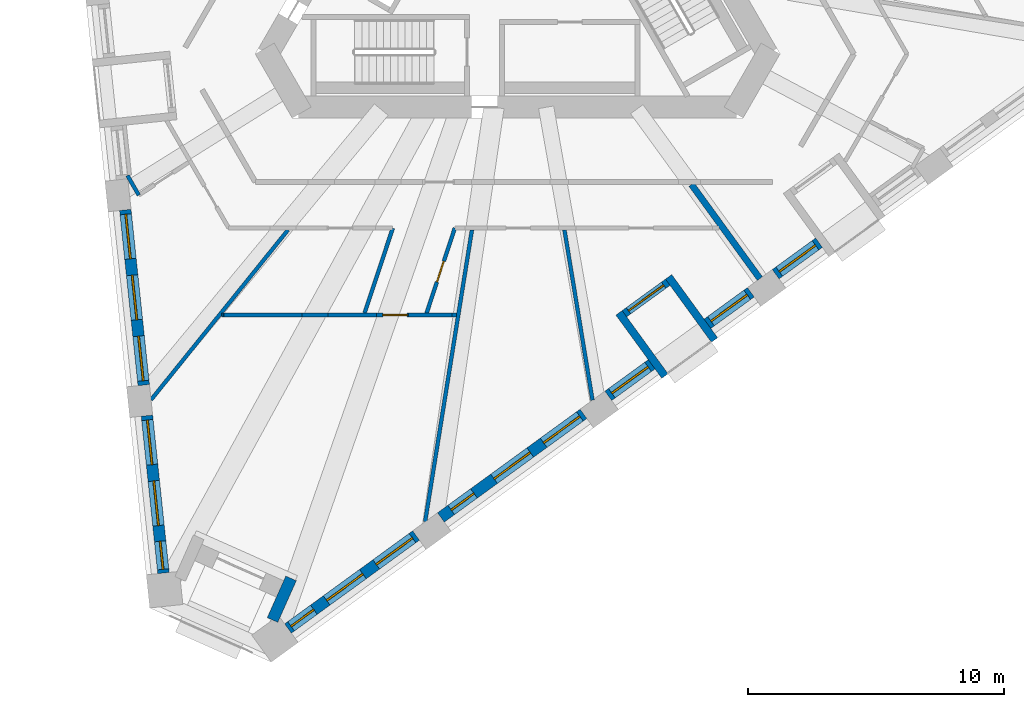
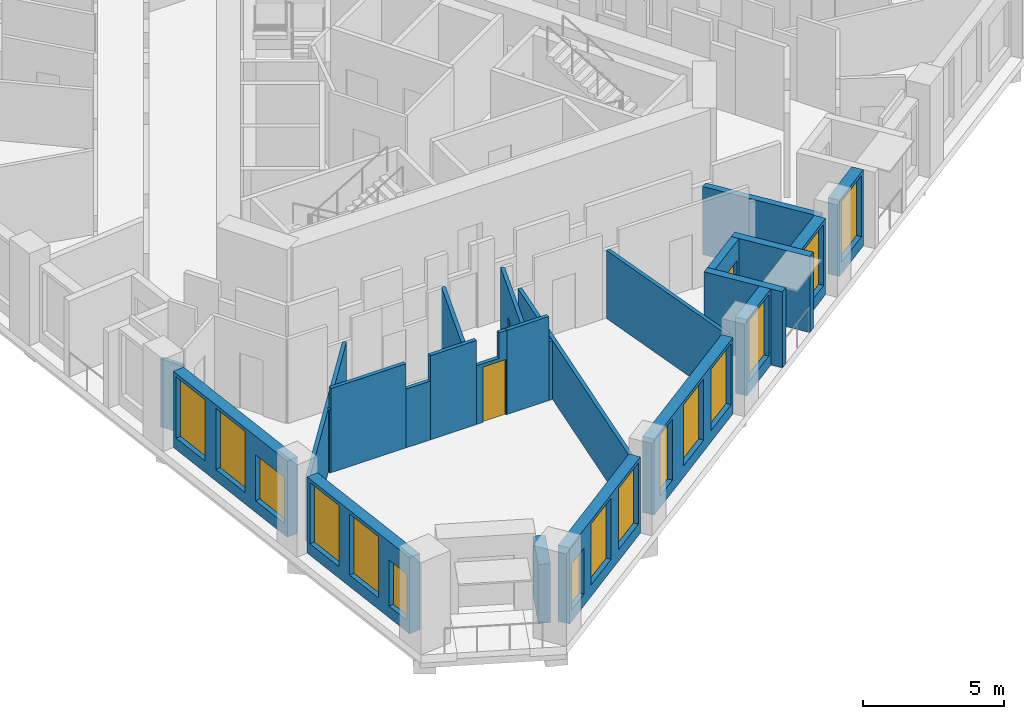
# One storey, part 2 of 14: 25 walls, 15 windows, 3 doors, 18 openings.
"""IFC4 building model written with IfcOpenShell, lengths in metres."""

import ifcopenshell
import ifcopenshell.guid

model = None  # the IFC model being written
_history = None  # IfcOwnerHistory: only IFC2X3 demands one
_inside = {}  # id of a spatial element -> (the spatial element, [elements in it])
_under = {}  # id of a project, library or spatial element -> (it, [spatial elements below it])
_declared = {}  # id of a project -> (the project, [libraries it declares])
_typed = {}  # id of a type object -> (the type object, [elements of that type])
_made_of = {}  # id of a material, layer set ... -> (it, [elements and type objects made of it])


def new_model(schema):
    """Start an empty IFC model of exactly this schema.

    Asked for "IFC4X3", IfcOpenShell would pick the latest addendum, in which some entities
    have other attributes; the version numbers below select the first issue.
    IFC2X3 requires an IfcOwnerHistory on every rooted entity: one is made here for all.
    """
    global model, _history
    if schema == "IFC4X3":
        model = ifcopenshell.file(schema_version=(4, 3, 0, 0))
    else:
        model = ifcopenshell.file(schema=schema)
    _inside.clear()
    _under.clear()
    _declared.clear()
    _typed.clear()
    _made_of.clear()
    _history = None
    if model.schema == "IFC2X3":
        org = make("IfcOrganization", Name="unknown")
        user = make(
            "IfcPersonAndOrganization",
            ThePerson=make("IfcPerson", FamilyName="unknown"),
            TheOrganization=org,
        )
        app = make(
            "IfcApplication",
            ApplicationDeveloper=org,
            Version="unknown",
            ApplicationFullName="unknown",
            ApplicationIdentifier="unknown",
        )
        _history = make(
            "IfcOwnerHistory",
            OwningUser=user,
            OwningApplication=app,
            ChangeAction="ADDED",
            CreationDate=0,
        )
    return model


def make(cls, **values):
    """One entity of the class cls with the attributes given. An attribute that is None is left unset."""
    return model.create_entity(
        cls, **{name: value for name, value in values.items() if value is not None}
    )


def rooted(cls, **values):
    """An entity with a GlobalId (a new one), such as an element, a storey or a relation."""
    return make(cls, GlobalId=ifcopenshell.guid.new(), OwnerHistory=_history, **values)


def si_unit(unit_type, name, prefix=None):
    """IfcSIUnit, for example si_unit("LENGTHUNIT", "METRE", prefix="MILLI")."""
    return make("IfcSIUnit", UnitType=unit_type, Prefix=prefix, Name=name)


def assignment(units):
    """IfcUnitAssignment: the units of a project."""
    return None if units is None else make("IfcUnitAssignment", Units=units)


def point(xyz):
    """IfcCartesianPoint."""
    return None if xyz is None else make("IfcCartesianPoint", Coordinates=xyz)


def direction(xyz):
    """IfcDirection."""
    return None if xyz is None else make("IfcDirection", DirectionRatios=xyz)


def frame(location, z_axis=None, x_axis=None):
    """IfcAxis2Placement3D, a coordinate frame: its origin and axes. An axis left out is left unset."""
    return make(
        "IfcAxis2Placement3D",
        Location=point(location),
        Axis=direction(z_axis),
        RefDirection=direction(x_axis),
    )


def frame_2d(location, x_axis=None):
    """IfcAxis2Placement2D, a coordinate frame in the plane: its origin and x axis."""
    return make(
        "IfcAxis2Placement2D", Location=point(location), RefDirection=direction(x_axis)
    )


def origin():
    """The frame at (0, 0, 0) with its axes left unset."""
    return frame((0.0, 0.0, 0.0))


def place(relative_to, where):
    """IfcLocalPlacement: puts the frame where relative to a parent placement (None: the world)."""
    return make(
        "IfcLocalPlacement", PlacementRelTo=relative_to, RelativePlacement=where
    )


def context(
    kind, dimensions, precision=None, world=None, true_north=None, identifier=None
):
    """IfcGeometricRepresentationContext, for example the 3D "Model" context."""
    return make(
        "IfcGeometricRepresentationContext",
        ContextIdentifier=identifier,
        ContextType=kind,
        CoordinateSpaceDimension=dimensions,
        Precision=precision,
        WorldCoordinateSystem=world,
        TrueNorth=true_north,
    )


def subcontext(parent, identifier, kind, view, scale=None):
    """IfcGeometricRepresentationSubContext, for example "Body" below "Model"."""
    return make(
        "IfcGeometricRepresentationSubContext",
        ContextIdentifier=identifier,
        ContextType=kind,
        ParentContext=parent,
        TargetScale=scale,
        TargetView=view,
    )


def project(units=None, contexts=None):
    """IfcProject with its units and contexts."""
    return rooted(
        "IfcProject",
        Name="project",
        RepresentationContexts=contexts,
        UnitsInContext=assignment(units),
    )


def spatial(cls, under=None, at=None, **own):
    """A site, building, storey or space (cls), placed at a placement, below another one or the project."""
    s = rooted(cls, ObjectPlacement=at, **own)
    if under is not None:
        _under.setdefault(under.id(), (under, []))[1].append(s)
    return s


def polyline(points):
    """IfcPolyline through the points."""
    return make("IfcPolyline", Points=[point(p) for p in points])


def profile(cls, at=None, kind="AREA", **sizes):
    """A parametric profile (cls). Its sizes go by their IFC names, for example OverallWidth=200.0."""
    return make(cls, ProfileType=kind, Position=at, **sizes)


def rectangle(**sizes):
    """IfcRectangleProfileDef."""
    return profile("IfcRectangleProfileDef", **sizes)


def outline(outer, holes=None, kind="AREA"):
    """IfcArbitraryClosedProfileDef: a profile drawn as a closed curve; with holes, ...WithVoids."""
    if holes is None:
        return make("IfcArbitraryClosedProfileDef", ProfileType=kind, OuterCurve=outer)
    return make(
        "IfcArbitraryProfileDefWithVoids",
        ProfileType=kind,
        OuterCurve=outer,
        InnerCurves=holes,
    )


def extrude(swept, where, along, depth):
    """IfcExtrudedAreaSolid: the profile swept, set in the frame where, extruded along a direction by depth."""
    return make(
        "IfcExtrudedAreaSolid",
        SweptArea=swept,
        Position=where,
        ExtrudedDirection=direction(along),
        Depth=depth,
    )


def shape(context_of_items, identifier, shape_type, items):
    """IfcShapeRepresentation: the items that make up one representation, for example the "Body"."""
    return make(
        "IfcShapeRepresentation",
        ContextOfItems=context_of_items,
        RepresentationIdentifier=identifier,
        RepresentationType=shape_type,
        Items=items,
    )


def material(Name=None, Category=None):
    """IfcMaterial."""
    return make("IfcMaterial", Name=Name, Category=Category)


def layer(
    of_material, thickness, ventilated=None, Name=None, Category=None, Priority=None
):
    """IfcMaterialLayer: one layer of a wall or slab, of a material (None: an air gap)."""
    return make(
        "IfcMaterialLayer",
        Material=of_material,
        LayerThickness=thickness,
        IsVentilated=ventilated,
        Name=Name,
        Category=Category,
        Priority=Priority,
    )


def layer_set(layers, Name=None):
    """IfcMaterialLayerSet."""
    return make("IfcMaterialLayerSet", MaterialLayers=layers, LayerSetName=Name)


def made_of(thing, what):
    """Note that an element or type object is made of a material, layer set ...; save() writes the relation."""
    if what is not None:
        _made_of.setdefault(what.id(), (what, []))[1].append(thing)
    return thing


def type_object(cls, material=None, **own):
    """A type object (cls), such as IfcWallType, which elements share."""
    return made_of(rooted(cls, **own), material)


def element(
    cls,
    number,
    at=None,
    inside=None,
    cuts=None,
    type_object=None,
    material=None,
    context=None,
    identifier="Body",
    shape_type=None,
    held_by="IfcProductDefinitionShape",
    body=None,
    shapes=None,
    **own,
):
    """One element of the class cls, such as IfcWall. Its Tag is "e" and its number.

    at: its placement. inside: the storey or other place that contains it. cuts: it is an
    opening in that element (IfcRelVoidsElement). A single representation is given by context,
    identifier, shape_type and body (its items); several are given by shapes. held_by: the class
    of the entity that holds the representations. save() writes the other relations.
    """
    e = rooted(cls, Tag="e%d" % number, ObjectPlacement=at, **own)
    if body is not None:
        shapes = [shape(context, identifier, shape_type, body)]
    if shapes is not None:
        e.Representation = make(held_by, Representations=shapes)
    if inside is not None:
        _inside.setdefault(inside.id(), (inside, []))[1].append(e)
    if cuts is not None:
        rooted(
            "IfcRelVoidsElement", RelatingBuildingElement=cuts, RelatedOpeningElement=e
        )
    if type_object is not None:
        _typed.setdefault(type_object.id(), (type_object, []))[1].append(e)
    return made_of(e, material)


def fill(opening, filler):
    """IfcRelFillsElement: the door or window that sits in an opening."""
    return rooted(
        "IfcRelFillsElement",
        RelatingOpeningElement=opening,
        RelatedBuildingElement=filler,
    )


def aggregate(whole, parts):
    """IfcRelAggregates: a whole, such as a stair, and the parts it consists of."""
    return rooted("IfcRelAggregates", RelatingObject=whole, RelatedObjects=parts)


def save(model, path):
    """Write the relations noted so far, then the file.

    IfcRelAggregates (storeys below a building ...), IfcRelContainedInSpatialStructure (elements
    in a storey), IfcRelDefinesByType, IfcRelAssociatesMaterial and IfcRelDeclares: one each for
    every whole, place, type object, material and project.
    """
    for whole, parts in _under.values():
        aggregate(whole, parts)
    for where, things in _inside.values():
        rooted(
            "IfcRelContainedInSpatialStructure",
            RelatedElements=things,
            RelatingStructure=where,
        )
    for kind, things in _typed.values():
        rooted("IfcRelDefinesByType", RelatedObjects=things, RelatingType=kind)
    for what, things in _made_of.values():
        rooted("IfcRelAssociatesMaterial", RelatedObjects=things, RelatingMaterial=what)
    for by, libraries in _declared.values():
        rooted("IfcRelDeclares", RelatingContext=by, RelatedDefinitions=libraries)
    model.write(path)


model = new_model("IFC4")

# Units and contexts
model_context = context("Model", 3, precision=1e-05, world=origin(), true_north=direction((0.0, 1.0)))
body_context = subcontext(model_context, "Body", "Model", "MODEL_VIEW")
ifc_project = project(units=[si_unit("LENGTHUNIT", "METRE"), si_unit("AREAUNIT", "SQUARE_METRE"), si_unit("VOLUMEUNIT", "CUBIC_METRE"), si_unit("PLANEANGLEUNIT", "RADIAN"), si_unit("MASSUNIT", "GRAM", prefix="KILO")], contexts=[model_context])

# Site, building, storey
site_placement = place(None, origin())
site = spatial("IfcSite", under=ifc_project, at=site_placement, CompositionType="ELEMENT")
building_placement = place(site_placement, origin())
building = spatial("IfcBuilding", under=site, at=building_placement, Name="Tramontana Tower", CompositionType="ELEMENT")
storey_placement = place(building_placement, frame((0.0, 0.0, 170.800048828125)))
storey = spatial("IfcBuildingStorey", under=building, at=storey_placement, Name="L39", CompositionType="ELEMENT", Elevation=170.800048828125)

# Wall, openings, windows
ifc_material_1 = material(Name="Precast concrete 60 MPa", Category="concrete")
ifc_layer_1 = layer(ifc_material_1, 0.449951171875)
ifc_layer_set_1 = layer_set([ifc_layer_1], Name="Precast concrete 60 MPa, 450 mm")
wall_type_1 = type_object("IfcWallType", Name="EW1 Stone-faced precast wall 450", PredefinedType="SOLIDWALL", material=ifc_layer_set_1)
wall_1_placement = place(storey_placement, frame((-15.327880859375, -10.341796875, 0.0), z_axis=(0.0, 0.0, 1.0), x_axis=(0.104531531326, -0.994521572898, 0.0)))
wall_1 = element("IfcWall", 1, at=wall_1_placement, inside=storey, type_object=wall_type_1, Name="External wall L39 face 0 bay 5", PredefinedType="SOLIDWALL", context=body_context, shape_type="SweptSolid", body=[
    extrude(rectangle(XDim=6.8828125, YDim=0.449951171875, at=frame_2d((3.44140625, 0.0))), origin(), (0.0, 0.0, 1.0), 3.300048828125),
])
opening_1_placement = place(wall_1_placement, frame((0.172119140625, 0.0, 0.5)))
opening_1 = element("IfcOpeningElement", 2, at=opening_1_placement, cuts=wall_1, Name="Opening M2", PredefinedType="OPENING", context=body_context, shape_type="SweptSolid", body=[
    extrude(rectangle(XDim=1.75, YDim=2.64990234375, at=frame_2d((0.875, 1.324951171875))), frame((0.0, 0.23486328125, 0.0), z_axis=(0.0, -1.0, 0.0), x_axis=(1.0, 0.0, 0.0)), (0.0, 0.0, 1.0), 0.469970703125),
])
opening_2_placement = place(wall_1_placement, frame((2.56640625, 0.0, 0.5)))
opening_2 = element("IfcOpeningElement", 3, at=opening_2_placement, cuts=wall_1, Name="Opening M2", PredefinedType="OPENING", context=body_context, shape_type="SweptSolid", body=[
    extrude(rectangle(XDim=1.75, YDim=2.64990234375, at=frame_2d((0.875, 1.324951171875))), frame((0.0, 0.23486328125, 0.0), z_axis=(0.0, -1.0, 0.0), x_axis=(1.0, 0.0, 0.0)), (0.0, 0.0, 1.0), 0.469970703125),
])
opening_3_placement = place(wall_1_placement, frame((4.960693359375, 0.0, 0.5)))
opening_3 = element("IfcOpeningElement", 4, at=opening_3_placement, cuts=wall_1, Name="Opening M2L", PredefinedType="OPENING", context=body_context, shape_type="SweptSolid", body=[
    extrude(rectangle(XDim=1.75, YDim=2.0, at=frame_2d((0.875, 1.0))), frame((0.0, 0.23486328125, 0.0), z_axis=(0.0, -1.0, 0.0), x_axis=(1.0, 0.0, 0.0)), (0.0, 0.0, 1.0), 0.469970703125),
])
ifc_material_2 = material(Name="Aluminum frame, double glazing unit", Category="aluminium")
window_type_1 = type_object("IfcWindowType", Name="M2 Window 1.75 x 2.65", PartitioningType="SINGLE_PANEL", PredefinedType="WINDOW", material=ifc_material_2)
window_1_placement = place(opening_1_placement, origin())
window_1 = element("IfcWindow", 5, at=window_1_placement, inside=storey, type_object=window_type_1, Name="Window M2 L39 face 0 module 13", OverallHeight=2.64990234375, OverallWidth=1.75, PartitioningType="SINGLE_PANEL", PredefinedType="WINDOW", context=body_context, shape_type="SweptSolid", body=[
    extrude(rectangle(XDim=1.75, YDim=2.64990234375, at=frame_2d((0.875, 1.324951171875))), frame((0.0, 0.030029296875, 0.0), z_axis=(0.0, -1.0, 0.0), x_axis=(1.0, 0.0, 0.0)), (0.0, 0.0, 1.0), 0.06005859375),
])
fill(opening_1, window_1)
window_2_placement = place(opening_2_placement, origin())
window_2 = element("IfcWindow", 6, at=window_2_placement, inside=storey, type_object=window_type_1, Name="Window M2 L39 face 0 module 14", OverallHeight=2.64990234375, OverallWidth=1.75, PartitioningType="SINGLE_PANEL", PredefinedType="WINDOW", context=body_context, shape_type="SweptSolid", body=[
    extrude(rectangle(XDim=1.75, YDim=2.64990234375, at=frame_2d((0.875, 1.324951171875))), frame((0.0, 0.030029296875, 0.0), z_axis=(0.0, -1.0, 0.0), x_axis=(1.0, 0.0, 0.0)), (0.0, 0.0, 1.0), 0.06005859375),
])
fill(opening_2, window_2)
ifc_material_3 = material(Name="Aluminum frame, double glazing unit", Category="aluminium")
window_type_2 = type_object("IfcWindowType", Name="M2L Window 1.75 x 2", PartitioningType="SINGLE_PANEL", PredefinedType="WINDOW", material=ifc_material_3)
window_3_placement = place(opening_3_placement, origin())
window_3 = element("IfcWindow", 7, at=window_3_placement, inside=storey, type_object=window_type_2, Name="Window M2L L39 face 0 module 15", OverallHeight=2.0, OverallWidth=1.75, PartitioningType="SINGLE_PANEL", PredefinedType="WINDOW", context=body_context, shape_type="SweptSolid", body=[
    extrude(rectangle(XDim=1.75, YDim=2.0, at=frame_2d((0.875, 1.0))), frame((0.0, 0.030029296875, 0.0), z_axis=(0.0, -1.0, 0.0), x_axis=(1.0, 0.0, 0.0)), (0.0, 0.0, 1.0), 0.06005859375),
])
fill(opening_3, window_3)

wall_2_placement = place(storey_placement, frame((-14.483154296875, -18.38037109375, 0.0), z_axis=(0.0, 0.0, 1.0), x_axis=(0.104557348575, -0.994518858976, 0.0)))
wall_2 = element("IfcWall", 8, at=wall_2_placement, inside=storey, type_object=wall_type_1, Name="External wall L39 face 0 bay 6", PredefinedType="SOLIDWALL", context=body_context, shape_type="SweptSolid", body=[
    extrude(rectangle(XDim=6.18310546875, YDim=0.449951171875, at=frame_2d((3.091552734375, 0.0))), origin(), (0.0, 0.0, 1.0), 3.300048828125),
])
opening_4_placement = place(wall_2_placement, frame((0.172119140625, 0.0, 0.5)))
opening_4 = element("IfcOpeningElement", 9, at=opening_4_placement, cuts=wall_2, Name="Opening M2", PredefinedType="OPENING", context=body_context, shape_type="SweptSolid", body=[
    extrude(rectangle(XDim=1.75, YDim=2.64990234375, at=frame_2d((0.875, 1.324951171875))), frame((0.0, 0.23486328125, 0.0), z_axis=(0.0, -1.0, 0.0), x_axis=(1.0, 0.0, 0.0)), (0.0, 0.0, 1.0), 0.469970703125),
])
opening_5_placement = place(wall_2_placement, frame((2.56640625, 0.0, 0.5)))
opening_5 = element("IfcOpeningElement", 10, at=opening_5_placement, cuts=wall_2, Name="Opening M2", PredefinedType="OPENING", context=body_context, shape_type="SweptSolid", body=[
    extrude(rectangle(XDim=1.75, YDim=2.64990234375, at=frame_2d((0.875, 1.324951171875))), frame((0.0, 0.23486328125, 0.0), z_axis=(0.0, -1.0, 0.0), x_axis=(1.0, 0.0, 0.0)), (0.0, 0.0, 1.0), 0.469970703125),
])
opening_6_placement = place(wall_2_placement, frame((4.935791015625, 0.0, 0.5)))
opening_6 = element("IfcOpeningElement", 11, at=opening_6_placement, cuts=wall_2, Name="Opening N2L", PredefinedType="OPENING", context=body_context, shape_type="SweptSolid", body=[
    extrude(rectangle(XDim=1.10009765625, YDim=2.0, at=frame_2d((0.550048828125, 1.0))), frame((0.0, 0.23486328125, 0.0), z_axis=(0.0, -1.0, 0.0), x_axis=(1.0, 0.0, 0.0)), (0.0, 0.0, 1.0), 0.469970703125),
])
window_4_placement = place(opening_4_placement, origin())
window_4 = element("IfcWindow", 12, at=window_4_placement, inside=storey, type_object=window_type_1, Name="Window M2 L39 face 0 module 16", OverallHeight=2.64990234375, OverallWidth=1.75, PartitioningType="SINGLE_PANEL", PredefinedType="WINDOW", context=body_context, shape_type="SweptSolid", body=[
    extrude(rectangle(XDim=1.75, YDim=2.64990234375, at=frame_2d((0.875, 1.324951171875))), frame((0.0, 0.030029296875, 0.0), z_axis=(0.0, -1.0, 0.0), x_axis=(1.0, 0.0, 0.0)), (0.0, 0.0, 1.0), 0.06005859375),
])
fill(opening_4, window_4)
window_5_placement = place(opening_5_placement, origin())
window_5 = element("IfcWindow", 13, at=window_5_placement, inside=storey, type_object=window_type_1, Name="Window M2 L39 face 0 module 17", OverallHeight=2.64990234375, OverallWidth=1.75, PartitioningType="SINGLE_PANEL", PredefinedType="WINDOW", context=body_context, shape_type="SweptSolid", body=[
    extrude(rectangle(XDim=1.75, YDim=2.64990234375, at=frame_2d((0.875, 1.324951171875))), frame((0.0, 0.030029296875, 0.0), z_axis=(0.0, -1.0, 0.0), x_axis=(1.0, 0.0, 0.0)), (0.0, 0.0, 1.0), 0.06005859375),
])
fill(opening_5, window_5)
ifc_material_4 = material(Name="Aluminum frame, double glazing unit", Category="aluminium")
window_type_3 = type_object("IfcWindowType", Name="N2L Window 1.1 x 2", PartitioningType="SINGLE_PANEL", PredefinedType="WINDOW", material=ifc_material_4)
window_6_placement = place(opening_6_placement, origin())
window_6 = element("IfcWindow", 14, at=window_6_placement, inside=storey, type_object=window_type_3, Name="Window N2L L39 face 0 module 18", OverallHeight=2.0, OverallWidth=1.10009765625, PartitioningType="SINGLE_PANEL", PredefinedType="WINDOW", context=body_context, shape_type="SweptSolid", body=[
    extrude(rectangle(XDim=1.10009765625, YDim=2.0, at=frame_2d((0.550048828125, 1.0))), frame((0.0, 0.030029296875, 0.0), z_axis=(0.0, -1.0, 0.0), x_axis=(1.0, 0.0, 0.0)), (0.0, 0.0, 1.0), 0.06005859375),
])
fill(opening_6, window_6)

wall_3_placement = place(storey_placement, frame((-8.97021484375, -26.696044921875, 0.0), z_axis=(0.0, 0.0, 1.0), x_axis=(0.809024567544, 0.587774828578, 0.0)))
wall_3 = element("IfcWall", 15, at=wall_3_placement, inside=storey, type_object=wall_type_1, Name="External wall L39 face 1 bay 1", PredefinedType="SOLIDWALL", context=body_context, shape_type="SweptSolid", body=[
    extrude(rectangle(XDim=6.1826171875, YDim=0.449951171875, at=frame_2d((3.09130859375, 0.0))), origin(), (0.0, 0.0, 1.0), 3.300048828125),
])
opening_7_placement = place(wall_3_placement, frame((0.147216796875, 0.0, 0.5)))
opening_7 = element("IfcOpeningElement", 16, at=opening_7_placement, cuts=wall_3, Name="Opening N2L", PredefinedType="OPENING", context=body_context, shape_type="SweptSolid", body=[
    extrude(rectangle(XDim=1.10009765625, YDim=2.0, at=frame_2d((0.550048828125, 1.0))), frame((0.0, 0.23486328125, 0.0), z_axis=(0.0, -1.0, 0.0), x_axis=(1.0, 0.0, 0.0)), (0.0, 0.0, 1.0), 0.469970703125),
])
opening_8_placement = place(wall_3_placement, frame((1.866455078125, 0.0, 0.5)))
opening_8 = element("IfcOpeningElement", 17, at=opening_8_placement, cuts=wall_3, Name="Opening M2", PredefinedType="OPENING", context=body_context, shape_type="SweptSolid", body=[
    extrude(rectangle(XDim=1.75, YDim=2.64990234375, at=frame_2d((0.875, 1.324951171875))), frame((0.0, 0.23486328125, 0.0), z_axis=(0.0, -1.0, 0.0), x_axis=(1.0, 0.0, 0.0)), (0.0, 0.0, 1.0), 0.469970703125),
])
opening_9_placement = place(wall_3_placement, frame((4.2607421875, 0.0, 0.5)))
opening_9 = element("IfcOpeningElement", 18, at=opening_9_placement, cuts=wall_3, Name="Opening M2", PredefinedType="OPENING", context=body_context, shape_type="SweptSolid", body=[
    extrude(rectangle(XDim=1.75, YDim=2.64990234375, at=frame_2d((0.875, 1.324951171875))), frame((0.0, 0.23486328125, 0.0), z_axis=(0.0, -1.0, 0.0), x_axis=(1.0, 0.0, 0.0)), (0.0, 0.0, 1.0), 0.469970703125),
])
window_7_placement = place(opening_8_placement, origin())
window_7 = element("IfcWindow", 19, at=window_7_placement, inside=storey, type_object=window_type_1, Name="Window M2 L39 face 1 module 2", OverallHeight=2.64990234375, OverallWidth=1.75, PartitioningType="SINGLE_PANEL", PredefinedType="WINDOW", context=body_context, shape_type="SweptSolid", body=[
    extrude(rectangle(XDim=1.75, YDim=2.64990234375, at=frame_2d((0.875, 1.324951171875))), frame((0.0, 0.030029296875, 0.0), z_axis=(0.0, -1.0, 0.0), x_axis=(1.0, 0.0, 0.0)), (0.0, 0.0, 1.0), 0.06005859375),
])
fill(opening_8, window_7)
window_8_placement = place(opening_9_placement, origin())
window_8 = element("IfcWindow", 20, at=window_8_placement, inside=storey, type_object=window_type_1, Name="Window M2 L39 face 1 module 3", OverallHeight=2.64990234375, OverallWidth=1.75, PartitioningType="SINGLE_PANEL", PredefinedType="WINDOW", context=body_context, shape_type="SweptSolid", body=[
    extrude(rectangle(XDim=1.75, YDim=2.64990234375, at=frame_2d((0.875, 1.324951171875))), frame((0.0, 0.030029296875, 0.0), z_axis=(0.0, -1.0, 0.0), x_axis=(1.0, 0.0, 0.0)), (0.0, 0.0, 1.0), 0.06005859375),
])
fill(opening_9, window_8)
window_9_placement = place(opening_7_placement, origin())
window_9 = element("IfcWindow", 21, at=window_9_placement, inside=storey, type_object=window_type_3, Name="Window N2L L39 face 1 module 1", OverallHeight=2.0, OverallWidth=1.10009765625, PartitioningType="SINGLE_PANEL", PredefinedType="WINDOW", context=body_context, shape_type="SweptSolid", body=[
    extrude(rectangle(XDim=1.10009765625, YDim=2.0, at=frame_2d((0.550048828125, 1.0))), frame((0.0, 0.030029296875, 0.0), z_axis=(0.0, -1.0, 0.0), x_axis=(1.0, 0.0, 0.0)), (0.0, 0.0, 1.0), 0.06005859375),
])
fill(opening_7, window_9)

wall_4_placement = place(storey_placement, frame((-2.997314453125, -22.3564453125, 0.0), z_axis=(0.0, 0.0, 1.0), x_axis=(0.809016690404, 0.587785670672, 0.0)))
wall_4 = element("IfcWall", 22, at=wall_4_placement, inside=storey, type_object=wall_type_1, Name="External wall L39 face 1 bay 2", PredefinedType="SOLIDWALL", context=body_context, shape_type="SweptSolid", body=[
    extrude(rectangle(XDim=6.8828125, YDim=0.449951171875, at=frame_2d((3.44140625, 0.0))), origin(), (0.0, 0.0, 1.0), 3.300048828125),
])
opening_10_placement = place(wall_4_placement, frame((0.4970703125, 0.0, 0.5)))
opening_10 = element("IfcOpeningElement", 23, at=opening_10_placement, cuts=wall_4, Name="Opening N2", PredefinedType="OPENING", context=body_context, shape_type="SweptSolid", body=[
    extrude(rectangle(XDim=1.10009765625, YDim=2.64990234375, at=frame_2d((0.550048828125, 1.324951171875))), frame((0.0, 0.23486328125, 0.0), z_axis=(0.0, -1.0, 0.0), x_axis=(1.0, 0.0, 0.0)), (0.0, 0.0, 1.0), 0.469970703125),
])
opening_11_placement = place(wall_4_placement, frame((2.56640625, 0.0, 0.5)))
opening_11 = element("IfcOpeningElement", 24, at=opening_11_placement, cuts=wall_4, Name="Opening M2", PredefinedType="OPENING", context=body_context, shape_type="SweptSolid", body=[
    extrude(rectangle(XDim=1.75, YDim=2.64990234375, at=frame_2d((0.875, 1.324951171875))), frame((0.0, 0.23486328125, 0.0), z_axis=(0.0, -1.0, 0.0), x_axis=(1.0, 0.0, 0.0)), (0.0, 0.0, 1.0), 0.469970703125),
])
opening_12_placement = place(wall_4_placement, frame((4.960693359375, 0.0, 0.5)))
opening_12 = element("IfcOpeningElement", 25, at=opening_12_placement, cuts=wall_4, Name="Opening M2", PredefinedType="OPENING", context=body_context, shape_type="SweptSolid", body=[
    extrude(rectangle(XDim=1.75, YDim=2.64990234375, at=frame_2d((0.875, 1.324951171875))), frame((0.0, 0.23486328125, 0.0), z_axis=(0.0, -1.0, 0.0), x_axis=(1.0, 0.0, 0.0)), (0.0, 0.0, 1.0), 0.469970703125),
])
window_10_placement = place(opening_11_placement, origin())
window_10 = element("IfcWindow", 26, at=window_10_placement, inside=storey, type_object=window_type_1, Name="Window M2 L39 face 1 module 5", OverallHeight=2.64990234375, OverallWidth=1.75, PartitioningType="SINGLE_PANEL", PredefinedType="WINDOW", context=body_context, shape_type="SweptSolid", body=[
    extrude(rectangle(XDim=1.75, YDim=2.64990234375, at=frame_2d((0.875, 1.324951171875))), frame((0.0, 0.030029296875, 0.0), z_axis=(0.0, -1.0, 0.0), x_axis=(1.0, 0.0, 0.0)), (0.0, 0.0, 1.0), 0.06005859375),
])
fill(opening_11, window_10)
window_11_placement = place(opening_12_placement, origin())
window_11 = element("IfcWindow", 27, at=window_11_placement, inside=storey, type_object=window_type_1, Name="Window M2 L39 face 1 module 6", OverallHeight=2.64990234375, OverallWidth=1.75, PartitioningType="SINGLE_PANEL", PredefinedType="WINDOW", context=body_context, shape_type="SweptSolid", body=[
    extrude(rectangle(XDim=1.75, YDim=2.64990234375, at=frame_2d((0.875, 1.324951171875))), frame((0.0, 0.030029296875, 0.0), z_axis=(0.0, -1.0, 0.0), x_axis=(1.0, 0.0, 0.0)), (0.0, 0.0, 1.0), 0.06005859375),
])
fill(opening_12, window_11)
ifc_material_5 = material(Name="Aluminum frame, double glazing unit", Category="aluminium")
window_type_4 = type_object("IfcWindowType", Name="N2 Window 1.1 x 2.65", PartitioningType="SINGLE_PANEL", PredefinedType="WINDOW", material=ifc_material_5)
window_12_placement = place(opening_10_placement, origin())
window_12 = element("IfcWindow", 28, at=window_12_placement, inside=storey, type_object=window_type_4, Name="Window N2 L39 face 1 module 4", OverallHeight=2.64990234375, OverallWidth=1.10009765625, PartitioningType="SINGLE_PANEL", PredefinedType="WINDOW", context=body_context, shape_type="SweptSolid", body=[
    extrude(rectangle(XDim=1.10009765625, YDim=2.64990234375, at=frame_2d((0.550048828125, 1.324951171875))), frame((0.0, 0.030029296875, 0.0), z_axis=(0.0, -1.0, 0.0), x_axis=(1.0, 0.0, 0.0)), (0.0, 0.0, 1.0), 0.06005859375),
])
fill(opening_10, window_12)

# Wall, opening, window
wall_5_placement = place(storey_placement, frame((3.541748046875, -17.60546875, 0.0), z_axis=(0.0, 0.0, 1.0), x_axis=(0.809028366311, 0.587769599847, 0.0)))
wall_5 = element("IfcWall", 29, at=wall_5_placement, inside=storey, type_object=wall_type_1, Name="External wall L39 face 1 bay 3", PredefinedType="SOLIDWALL", context=body_context, shape_type="SweptSolid", body=[
    extrude(rectangle(XDim=2.09423828125, YDim=0.449951171875, at=frame_2d((1.047119140625, 0.0))), origin(), (0.0, 0.0, 1.0), 3.300048828125),
])
opening_13_placement = place(wall_5_placement, frame((0.172119140625, 0.0, 0.5)))
opening_13 = element("IfcOpeningElement", 30, at=opening_13_placement, cuts=wall_5, Name="Opening M2", PredefinedType="OPENING", context=body_context, shape_type="SweptSolid", body=[
    extrude(rectangle(XDim=1.75, YDim=2.64990234375, at=frame_2d((0.875, 1.324951171875))), frame((0.0, 0.23486328125, 0.0), z_axis=(0.0, -1.0, 0.0), x_axis=(1.0, 0.0, 0.0)), (0.0, 0.0, 1.0), 0.469970703125),
])
window_13_placement = place(opening_13_placement, origin())
window_13 = element("IfcWindow", 31, at=window_13_placement, inside=storey, type_object=window_type_1, Name="Window M2 L39 face 1 module 7", OverallHeight=2.64990234375, OverallWidth=1.75, PartitioningType="SINGLE_PANEL", PredefinedType="WINDOW", context=body_context, shape_type="SweptSolid", body=[
    extrude(rectangle(XDim=1.75, YDim=2.64990234375, at=frame_2d((0.875, 1.324951171875))), frame((0.0, 0.030029296875, 0.0), z_axis=(0.0, -1.0, 0.0), x_axis=(1.0, 0.0, 0.0)), (0.0, 0.0, 1.0), 0.06005859375),
])
fill(opening_13, window_13)

wall_6_placement = place(storey_placement, frame((7.415771484375, -14.790771484375, 0.0), z_axis=(0.0, 0.0, 1.0), x_axis=(0.809028366311, 0.587769599847, 0.0)))
wall_6 = element("IfcWall", 32, at=wall_6_placement, inside=storey, type_object=wall_type_1, Name="External wall L39 face 1 bay 3", PredefinedType="SOLIDWALL", context=body_context, shape_type="SweptSolid", body=[
    extrude(rectangle(XDim=2.09423828125, YDim=0.449951171875, at=frame_2d((1.047119140625, 0.0))), origin(), (0.0, 0.0, 1.0), 3.300048828125),
])
opening_14_placement = place(wall_6_placement, frame((0.172119140625, 0.0, 0.5)))
opening_14 = element("IfcOpeningElement", 33, at=opening_14_placement, cuts=wall_6, Name="Opening M2", PredefinedType="OPENING", context=body_context, shape_type="SweptSolid", body=[
    extrude(rectangle(XDim=1.75, YDim=2.64990234375, at=frame_2d((0.875, 1.324951171875))), frame((0.0, 0.23486328125, 0.0), z_axis=(0.0, -1.0, 0.0), x_axis=(1.0, 0.0, 0.0)), (0.0, 0.0, 1.0), 0.469970703125),
])
window_14_placement = place(opening_14_placement, origin())
window_14 = element("IfcWindow", 34, at=window_14_placement, inside=storey, type_object=window_type_1, Name="Window M2 L39 face 1 module 9", OverallHeight=2.64990234375, OverallWidth=1.75, PartitioningType="SINGLE_PANEL", PredefinedType="WINDOW", context=body_context, shape_type="SweptSolid", body=[
    extrude(rectangle(XDim=1.75, YDim=2.64990234375, at=frame_2d((0.875, 1.324951171875))), frame((0.0, 0.030029296875, 0.0), z_axis=(0.0, -1.0, 0.0), x_axis=(1.0, 0.0, 0.0)), (0.0, 0.0, 1.0), 0.06005859375),
])
fill(opening_14, window_14)

wall_7_placement = place(storey_placement, frame((10.0810546875, -12.8544921875, 0.0), z_axis=(0.0, 0.0, 1.0), x_axis=(0.809028366311, 0.587769599847, 0.0)))
wall_7 = element("IfcWall", 35, at=wall_7_placement, inside=storey, type_object=wall_type_1, Name="External wall L39 face 1 bay 4", PredefinedType="SOLIDWALL", context=body_context, shape_type="SweptSolid", body=[
    extrude(rectangle(XDim=2.09423828125, YDim=0.449951171875, at=frame_2d((1.047119140625, 0.0))), origin(), (0.0, 0.0, 1.0), 3.300048828125),
])
opening_15_placement = place(wall_7_placement, frame((0.172119140625, 0.0, 0.5)))
opening_15 = element("IfcOpeningElement", 36, at=opening_15_placement, cuts=wall_7, Name="Opening M2", PredefinedType="OPENING", context=body_context, shape_type="SweptSolid", body=[
    extrude(rectangle(XDim=1.75, YDim=2.64990234375, at=frame_2d((0.875, 1.324951171875))), frame((0.0, 0.23486328125, 0.0), z_axis=(0.0, -1.0, 0.0), x_axis=(1.0, 0.0, 0.0)), (0.0, 0.0, 1.0), 0.469970703125),
])
window_15_placement = place(opening_15_placement, origin())
window_15 = element("IfcWindow", 37, at=window_15_placement, inside=storey, type_object=window_type_1, Name="Window M2 L39 face 1 module 10", OverallHeight=2.64990234375, OverallWidth=1.75, PartitioningType="SINGLE_PANEL", PredefinedType="WINDOW", context=body_context, shape_type="SweptSolid", body=[
    extrude(rectangle(XDim=1.75, YDim=2.64990234375, at=frame_2d((0.875, 1.324951171875))), frame((0.0, 0.030029296875, 0.0), z_axis=(0.0, -1.0, 0.0), x_axis=(1.0, 0.0, 0.0)), (0.0, 0.0, 1.0), 0.06005859375),
])
fill(opening_15, window_15)

# Wall
wall_8_placement = place(storey_placement, frame((-9.575927734375, -26.363525390625, 0.0), z_axis=(0.0, 0.0, 1.0), x_axis=(0.406749543613, 0.913539713844, 0.0)))
element("IfcWall", 38, at=wall_8_placement, inside=storey, type_object=wall_type_1, Name="Corner loggia side wall L39 K41l", PredefinedType="SOLIDWALL", context=body_context, shape_type="SweptSolid", body=[
    extrude(rectangle(XDim=1.779052734375, YDim=0.449951171875, at=frame_2d((0.8896484375, 0.0))), origin(), (0.0, 0.0, 1.0), 2.550048828125),
])

# Wall, opening, door
ifc_material_6 = material(Name="Precast concrete 60 MPa", Category="concrete")
ifc_layer_2 = layer(ifc_material_6, 0.300048828125)
ifc_layer_set_2 = layer_set([ifc_layer_2], Name="LW1 Stone-faced loggia wall 300")
wall_type_2 = type_object("IfcWallType", Name="LW1 Stone-faced loggia wall 300", PredefinedType="SOLIDWALL", material=ifc_layer_set_2)
wall_9_placement = place(storey_placement, frame((4.1708984375, -14.398193359375, 0.0), z_axis=(0.0, 0.0, 1.0), x_axis=(0.809028366311, 0.587769599847, 0.0)))
wall_9 = element("IfcWall", 39, at=wall_9_placement, inside=storey, type_object=wall_type_2, Name="Loggia wall L39 G4S1.7", PredefinedType="SOLIDWALL", context=body_context, shape_type="SweptSolid", body=[
    extrude(rectangle(XDim=2.09423828125, YDim=0.300048828125, at=frame_2d((1.047119140625, 0.0))), origin(), (0.0, 0.0, 1.0), 3.300048828125),
])
opening_16_placement = place(wall_9_placement, frame((0.197265625, 0.0, 0.0)))
opening_16 = element("IfcOpeningElement", 40, at=opening_16_placement, cuts=wall_9, Name="Opening BD-4S1-07", PredefinedType="OPENING", context=body_context, shape_type="SweptSolid", body=[
    extrude(rectangle(XDim=1.699951171875, YDim=2.449951171875, at=frame_2d((0.85009765625, 1.22509765625))), frame((0.0, 0.159912109375, 0.0), z_axis=(0.0, -1.0, 0.0), x_axis=(1.0, 0.0, 0.0)), (0.0, 0.0, 1.0), 0.320068359375),
])
ifc_material_7 = material(Name="Aluminum frame, double glazing unit", Category="aluminium")
door_type_1 = type_object("IfcDoorType", Name="BD2 Sliding door 1.7 x 2.45", OperationType="SLIDING_TO_LEFT", PredefinedType="DOOR", material=ifc_material_7)
door_1_placement = place(opening_16_placement, origin())
door_1 = element("IfcDoor", 41, at=door_1_placement, inside=storey, type_object=door_type_1, Name="Loggia door L39 G4S1.7", OperationType="SLIDING_TO_LEFT", OverallHeight=2.449951171875, OverallWidth=1.699951171875, PredefinedType="DOOR", context=body_context, shape_type="SweptSolid", body=[
    extrude(rectangle(XDim=1.699951171875, YDim=2.449951171875, at=frame_2d((0.85009765625, 1.22509765625))), frame((0.0, 0.02490234375, 0.0), z_axis=(0.0, -1.0, 0.0), x_axis=(1.0, 0.0, 0.0)), (0.0, 0.0, 1.0), 0.050048828125),
])
fill(opening_16, door_1)

# Walls
for number, where, z_axis, x_axis, name in (
    (42, (5.754150390625, -16.83251953125, 0.0), (0.0, 0.0, 1.0), (-0.587776590479, 0.80902328748, 0.0), "Loggia return L39 G4S1.7a"),
    (43, (7.691162109375, -15.425048828125, 0.0), (0.0, 0.0, 1.0), (-0.587776590479, 0.80902328748, 0.0), "Loggia return L39 G4S1.7b"),
):
    element("IfcWall", number, at=place(storey_placement, frame(where, z_axis=z_axis, x_axis=x_axis)), inside=storey, type_object=wall_type_2, Name=name, PredefinedType="SOLIDWALL", context=body_context, shape_type="SweptSolid", body=[
        extrude(rectangle(XDim=3.050048828125, YDim=0.300048828125, at=frame_2d((1.52490234375, 0.0))), origin(), (0.0, 0.0, 1.0), 3.300048828125),
    ])
ifc_material_8 = material(Name="Gypsum board partition")
ifc_layer_3 = layer(ifc_material_8, 0.14990234375)
ifc_layer_set_3 = layer_set([ifc_layer_3], Name="PARTITION 150")
wall_type_3 = type_object("IfcWallType", Name="PARTITION 150", PredefinedType="PARTITIONING", material=ifc_layer_set_3)
wall_10_placement = place(storey_placement, frame((-14.79931640625, -9.766845703125, 0.0), z_axis=(0.0, 0.0, 1.0), x_axis=(-0.500016243463, 0.866016025414, 0.0)))
element("IfcWall", 44, at=wall_10_placement, inside=storey, type_object=wall_type_3, Name="Wall v40-pw01-0", PredefinedType="PARTITIONING", context=body_context, shape_type="SweptSolid", body=[
    extrude(rectangle(XDim=0.88720703125, YDim=0.14990234375, at=frame_2d((0.443603515625, 0.0))), origin(), (0.0, 0.0, 1.0), 2.949951171875),
])
wall_11_placement = place(storey_placement, frame((-14.322021484375, -17.76025390625, 0.0), z_axis=(0.0, 0.0, 1.0), x_axis=(0.627722219301, 0.778437419062, 0.0)))
element("IfcWall", 45, at=wall_11_placement, inside=storey, type_object=wall_type_3, Name="Wall v40-pw02-0", PredefinedType="PARTITIONING", context=body_context, shape_type="SweptSolid", body=[
    extrude(rectangle(XDim=8.52392578125, YDim=0.14990234375, at=frame_2d((4.261962890625, 0.0))), origin(), (0.0, 0.0, 1.0), 2.75),
])
wall_12_placement = place(storey_placement, frame((-5.9794921875, -14.375, 0.0), z_axis=(0.0, 0.0, 1.0), x_axis=(0.314824942326, 0.94914975409, 0.0)))
element("IfcWall", 46, at=wall_12_placement, inside=storey, type_object=wall_type_3, Name="Wall v40-pw14", PredefinedType="PARTITIONING", context=body_context, shape_type="SweptSolid", body=[
    extrude(rectangle(XDim=3.4990234375, YDim=0.14990234375, at=frame_2d((1.74951171875, 0.0))), origin(), (0.0, 0.0, 1.0), 3.64990234375),
])

# Wall, opening, door
wall_13_placement = place(storey_placement, frame((-2.4541015625, -11.052001953125, 0.0), z_axis=(0.0, 0.0, 1.0), x_axis=(-0.314794041052, -0.949160003223, 0.0)))
wall_13 = element("IfcWall", 47, at=wall_13_placement, inside=storey, type_object=wall_type_3, Name="Wall v40-pw17", PredefinedType="PARTITIONING", context=body_context, shape_type="SweptSolid", body=[
    extrude(rectangle(XDim=3.576904296875, YDim=0.14990234375, at=frame_2d((1.78857421875, 0.0))), origin(), (0.0, 0.0, 1.0), 3.64990234375),
])
opening_17_placement = place(wall_13_placement, frame((1.363525390625, 0.0, 0.0)))
opening_17 = element("IfcOpeningElement", 48, at=opening_17_placement, cuts=wall_13, Name="Opening B4A-09", PredefinedType="OPENING", context=body_context, shape_type="SweptSolid", body=[
    extrude(rectangle(XDim=0.85009765625, YDim=2.39990234375, at=frame_2d((0.425048828125, 1.199951171875))), frame((0.0, 0.0849609375, 0.0), z_axis=(0.0, -1.0, 0.0), x_axis=(1.0, 0.0, 0.0)), (0.0, 0.0, 1.0), 0.169921875),
])
ifc_material_9 = material(Name="Painted timber", Category="wood")
door_type_2 = type_object("IfcDoorType", Name="DOOR BATH 850", OperationType="SINGLE_SWING_LEFT", PredefinedType="DOOR", material=ifc_material_9)
door_2_placement = place(opening_17_placement, origin())
door_2 = element("IfcDoor", 49, at=door_2_placement, inside=storey, type_object=door_type_2, Name="Door B4A-09", OperationType="SINGLE_SWING_LEFT", OverallHeight=2.39990234375, OverallWidth=0.85009765625, PredefinedType="DOOR", context=body_context, shape_type="SweptSolid", body=[
    extrude(rectangle(XDim=0.85009765625, YDim=2.39990234375, at=frame_2d((0.425048828125, 1.199951171875))), frame((0.0, 0.02490234375, 0.0), z_axis=(0.0, -1.0, 0.0), x_axis=(1.0, 0.0, 0.0)), (0.0, 0.0, 1.0), 0.050048828125),
])
fill(opening_17, door_2)

# Walls
wall_14_placement = place(storey_placement, frame((-2.394775390625, -14.449951171875, 0.0), z_axis=(0.0, 0.0, 1.0), x_axis=(-1.0, 0.0, 0.0)))
element("IfcWall", 50, at=wall_14_placement, inside=storey, type_object=wall_type_3, Name="Wall v40-pw18-0", PredefinedType="PARTITIONING", context=body_context, shape_type="SweptSolid", body=[
    extrude(rectangle(XDim=0.162353515625, YDim=0.14990234375, at=frame_2d((0.0810546875, 0.0))), origin(), (0.0, 0.0, 1.0), 2.550048828125),
])
wall_15_placement = place(storey_placement, frame((-2.55712890625, -14.449951171875, 0.0), z_axis=(0.0, 0.0, 1.0), x_axis=(-1.0, 0.0, 0.0)))
element("IfcWall", 51, at=wall_15_placement, inside=storey, type_object=wall_type_3, Name="Wall v40-pw18-1", PredefinedType="PARTITIONING", context=body_context, shape_type="SweptSolid", body=[
    extrude(rectangle(XDim=1.710205078125, YDim=0.14990234375, at=frame_2d((0.85498046875, 0.0))), origin(), (0.0, 0.0, 1.0), 3.64990234375),
])

# Wall, opening, door
wall_16_placement = place(storey_placement, frame((-4.267333984375, -14.449951171875, 0.0), z_axis=(0.0, 0.0, 1.0), x_axis=(-1.0, 0.0, 0.0)))
wall_16 = element("IfcWall", 52, at=wall_16_placement, inside=storey, type_object=wall_type_3, Name="Wall v40-pw18-2", PredefinedType="PARTITIONING", context=body_context, shape_type="SweptSolid", body=[
    extrude(outline(polyline([(0.0, 0.0), (1.252197265625, 0.0), (1.252197265625, 2.550048828125), (0.3251953125, 2.550048828125), (0.3251953125, 3.64990234375), (0.0, 3.64990234375), (0.0, 0.0)])), frame((0.0, 0.074951171875, 0.0), z_axis=(0.0, -1.0, 0.0), x_axis=(1.0, 0.0, 0.0)), (0.0, 0.0, 1.0), 0.14990234375),
])
opening_18_placement = place(wall_16_placement, frame((0.050048828125, 0.0, 0.0)))
opening_18 = element("IfcOpeningElement", 53, at=opening_18_placement, cuts=wall_16, Name="Opening B4A-10", PredefinedType="OPENING", context=body_context, shape_type="SweptSolid", body=[
    extrude(rectangle(XDim=0.949951171875, YDim=2.39990234375, at=frame_2d((0.47509765625, 1.199951171875))), frame((0.0, 0.0849609375, 0.0), z_axis=(0.0, -1.0, 0.0), x_axis=(1.0, 0.0, 0.0)), (0.0, 0.0, 1.0), 0.169921875),
])
ifc_material_10 = material(Name="Painted timber", Category="wood")
door_type_3 = type_object("IfcDoorType", Name="DOOR ROOM 950", OperationType="SINGLE_SWING_LEFT", PredefinedType="DOOR", material=ifc_material_10)
door_3_placement = place(opening_18_placement, origin())
door_3 = element("IfcDoor", 54, at=door_3_placement, inside=storey, type_object=door_type_3, Name="Door B4A-10", OperationType="SINGLE_SWING_RIGHT", OverallHeight=2.39990234375, OverallWidth=0.949951171875, PredefinedType="DOOR", context=body_context, shape_type="SweptSolid", body=[
    extrude(rectangle(XDim=0.949951171875, YDim=2.39990234375, at=frame_2d((0.47509765625, 1.199951171875))), frame((0.0, 0.02490234375, 0.0), z_axis=(0.0, -1.0, 0.0), x_axis=(1.0, 0.0, 0.0)), (0.0, 0.0, 1.0), 0.050048828125),
])
fill(opening_18, door_3)

# Walls
wall_17_placement = place(storey_placement, frame((-5.51953125, -14.449951171875, 0.0), z_axis=(0.0, 0.0, 1.0), x_axis=(-1.0, 0.0, 0.0)))
element("IfcWall", 55, at=wall_17_placement, inside=storey, type_object=wall_type_3, Name="Wall v40-pw18-3", PredefinedType="PARTITIONING", context=body_context, shape_type="SweptSolid", body=[
    extrude(rectangle(XDim=1.89794921875, YDim=0.14990234375, at=frame_2d((0.948974609375, 0.0))), origin(), (0.0, 0.0, 1.0), 3.64990234375),
])
wall_18_placement = place(storey_placement, frame((-7.41748046875, -14.449951171875, 0.0), z_axis=(0.0, 0.0, 1.0), x_axis=(-1.0, 0.0, 0.0)))
element("IfcWall", 56, at=wall_18_placement, inside=storey, type_object=wall_type_3, Name="Wall v40-pw18-4", PredefinedType="PARTITIONING", context=body_context, shape_type="SweptSolid", body=[
    extrude(rectangle(XDim=0.99755859375, YDim=0.14990234375, at=frame_2d((0.498779296875, 0.0))), origin(), (0.0, 0.0, 1.0), 2.550048828125),
])
wall_19_placement = place(storey_placement, frame((-8.4150390625, -14.449951171875, 0.0), z_axis=(0.0, 0.0, 1.0), x_axis=(-1.0, 0.0, 0.0)))
element("IfcWall", 57, at=wall_19_placement, inside=storey, type_object=wall_type_3, Name="Wall v40-pw18-5", PredefinedType="PARTITIONING", context=body_context, shape_type="SweptSolid", body=[
    extrude(rectangle(XDim=3.066650390625, YDim=0.14990234375, at=frame_2d((1.533203125, 0.0))), origin(), (0.0, 0.0, 1.0), 3.64990234375),
])
wall_20_placement = place(storey_placement, frame((-11.481689453125, -14.449951171875, 0.0), z_axis=(0.0, 0.0, 1.0), x_axis=(-1.0, 0.0, 0.0)))
element("IfcWall", 58, at=wall_20_placement, inside=storey, type_object=wall_type_3, Name="Wall v40-pw18-6", PredefinedType="PARTITIONING", context=body_context, shape_type="SweptSolid", body=[
    extrude(rectangle(XDim=0.07470703125, YDim=0.14990234375, at=frame_2d((0.037353515625, 0.0))), origin(), (0.0, 0.0, 1.0), 2.75),
])
wall_21_placement = place(storey_placement, frame((-1.785400390625, -11.125, 0.0), z_axis=(0.0, 0.0, 1.0), x_axis=(-0.158434092998, -0.987369555018, 0.0)))
element("IfcWall", 59, at=wall_21_placement, inside=storey, type_object=wall_type_3, Name="Wall v40-pw19-0", PredefinedType="PARTITIONING", context=body_context, shape_type="SweptSolid", body=[
    extrude(rectangle(XDim=11.5478515625, YDim=0.14990234375, at=frame_2d((5.77392578125, 0.0))), origin(), (0.0, 0.0, 1.0), 2.550048828125),
])
wall_22_placement = place(storey_placement, frame((1.830078125, -11.125, 0.0), z_axis=(0.0, 0.0, 1.0), x_axis=(0.162301772149, -0.98674116908, 0.0)))
element("IfcWall", 60, at=wall_22_placement, inside=storey, type_object=wall_type_3, Name="Wall v40-pw23-0", PredefinedType="PARTITIONING", context=body_context, shape_type="SweptSolid", body=[
    extrude(rectangle(XDim=6.740478515625, YDim=0.14990234375, at=frame_2d((3.3701171875, 0.0))), origin(), (0.0, 0.0, 1.0), 2.949951171875),
])
ifc_material_11 = material(Name="Blockwork", Category="masonry")
ifc_layer_4 = layer(ifc_material_11, 0.25)
ifc_layer_set_4 = layer_set([ifc_layer_4], Name="PARTY WALL 250")
wall_type_4 = type_object("IfcWallType", Name="PARTY WALL 250", PredefinedType="SOLIDWALL", material=ifc_layer_set_4)
wall_23_placement = place(storey_placement, frame((6.793212890625, -9.35009765625, 0.0), z_axis=(0.0, 0.0, 1.0), x_axis=(0.587797751126, -0.809007913294, 0.0)))
element("IfcWall", 61, at=wall_23_placement, inside=storey, type_object=wall_type_4, Name="Wall v40-pw26-0", PredefinedType="SOLIDWALL", context=body_context, shape_type="SweptSolid", body=[
    extrude(rectangle(XDim=4.542724609375, YDim=0.25, at=frame_2d((2.271484375, 0.0))), origin(), (0.0, 0.0, 1.0), 2.949951171875),
])

save(model, "model.ifc")
